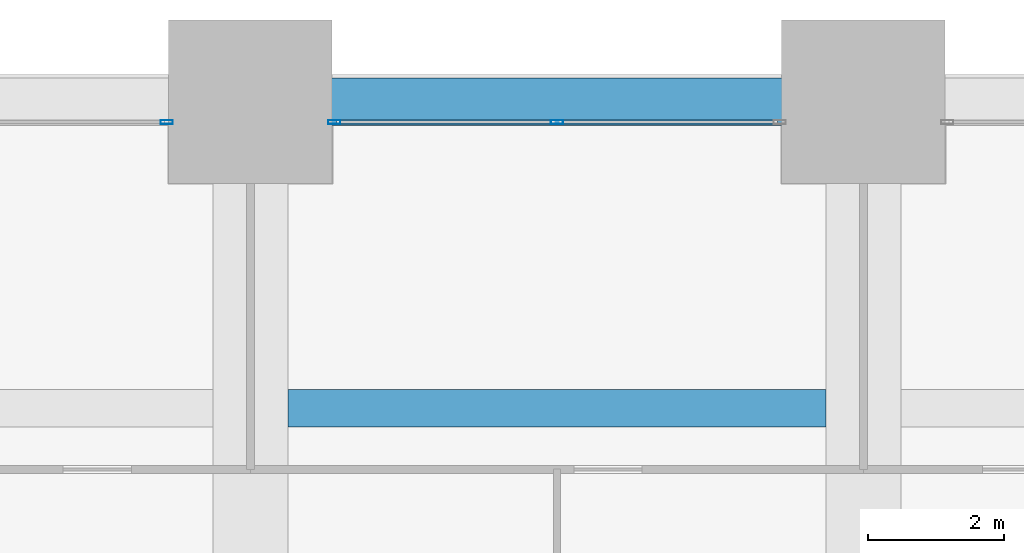
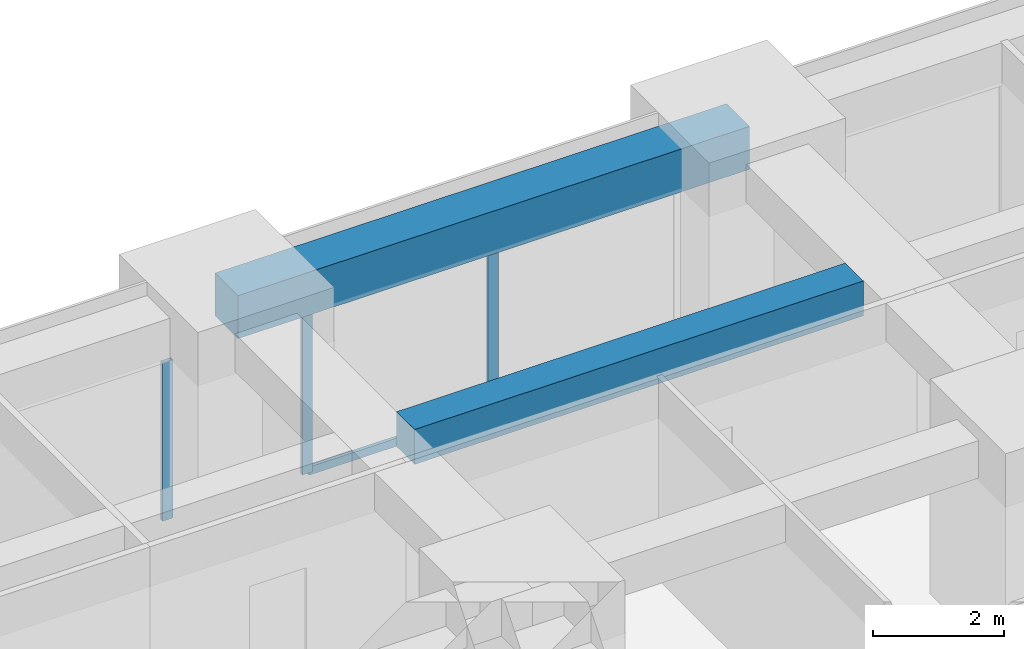
# One storey, part 30 of 44: 4 members, 2 beams, 2 elements without a shape of their own.
"""IFC4 building model written with IfcOpenShell, lengths in metres."""

from ifc_helpers import new_model, si_unit, direction, frame, origin, origin_2d, place, context, subcontext, project, spatial, rectangle, hollow_rectangle, extrude, material, material_profile, profile_set, type_object, element, aggregate, save


model = new_model("IFC4")

# Units and contexts
model_context = context("Model", 3, precision=1e-05, world=origin(), true_north=direction((0.0, 1.0)))
body_context = subcontext(model_context, "Body", "Model", "MODEL_VIEW")
ifc_project = project(units=[si_unit("LENGTHUNIT", "METRE"), si_unit("AREAUNIT", "SQUARE_METRE"), si_unit("VOLUMEUNIT", "CUBIC_METRE"), si_unit("PLANEANGLEUNIT", "RADIAN"), si_unit("MASSUNIT", "GRAM", prefix="KILO")], contexts=[model_context])

# Site, building, storey
site_placement = place(None, origin())
site = spatial("IfcSite", under=ifc_project, at=site_placement, CompositionType="ELEMENT")
building_placement = place(site_placement, origin())
building = spatial("IfcBuilding", under=site, at=building_placement, Name="Zorevar Civic Tower", CompositionType="ELEMENT")
storey_placement = place(building_placement, frame((0.0, 0.0, 43.800048828125)))
storey = spatial("IfcBuildingStorey", under=building, at=storey_placement, Name="L10", CompositionType="ELEMENT", Elevation=43.800048828125)

# Beam
ifc_material_1 = material(Name="Concrete C50/60", Category="concrete")
ifc_material_profile_1 = material_profile(ifc_material_1, rectangle(XDim=0.550048828125, YDim=0.64990234375, at=origin_2d()), Name="RC 550x650")
ifc_profile_set_1 = profile_set([ifc_material_profile_1], Name="Concrete C50/60")
beam_type_1 = type_object("IfcBeamType", Name="Beam RC 550x650", PredefinedType="BEAM", material=ifc_profile_set_1)
beam_1_placement = place(storey_placement, frame((27.550048828125, 49.5, 3.425048828125), z_axis=(1.0, 0.0, 0.0), x_axis=(0.0, 1.0, 0.0)))
element("IfcBeam", 1, at=beam_1_placement, inside=storey, type_object=beam_type_1, Name="Secondary beam L11", PredefinedType="BEAM", context=body_context, shape_type="SweptSolid", body=[
    extrude(rectangle(XDim=0.550048828125, YDim=0.64990234375, at=origin_2d()), origin(), (0.0, 0.0, 1.0), 7.89990234375),
])

# Curtain wall, member
ifc_material_2 = material(Name="Dark grey solar-control glass in black aluminium frame", Category="aluminium")
curtain_wall_type = type_object("IfcCurtainWallType", Name="Curtain wall CW2 low zone", PredefinedType="NOTDEFINED", material=ifc_material_2)
curtain_wall_1_placement = place(storey_placement, origin())
curtain_wall_1 = element("IfcCurtainWall", 2, at=curtain_wall_1_placement, inside=storey, type_object=curtain_wall_type, Name="CW2 L10", PredefinedType="NOTDEFINED")
ifc_material_3 = material(Name="Aluminium, black anodised", Category="aluminium")
ifc_material_profile_2 = material_profile(ifc_material_3, hollow_rectangle(XDim=0.06005859375, YDim=0.179931640625, WallThickness=0.00390625, at=origin_2d()), Name="AL 180x60x4")
ifc_profile_set_2 = profile_set([ifc_material_profile_2], Name="Aluminium, black anodised")
member_type_1 = type_object("IfcMemberType", Name="CW2 mullion AL 180x60x4", PredefinedType="MULLION", material=ifc_profile_set_2)
member_1_placement = place(storey_placement, frame((25.77001953125, 53.699951171875, 0.0), z_axis=(0.0, 0.0, 1.0), x_axis=(0.0, 1.0, 0.0)))
member_1 = element("IfcMember", 3, at=member_1_placement, type_object=member_type_1, Name="CW2 mullion 3", PredefinedType="MULLION", context=body_context, shape_type="SweptSolid", body=[
    extrude(hollow_rectangle(XDim=0.06005859375, YDim=0.179931640625, WallThickness=0.00390625, at=origin_2d()), origin(), (0.0, 0.0, 1.0), 2.949951171875),
])
aggregate(curtain_wall_1, [member_1])

# Curtain wall, members
curtain_wall_2_placement = place(storey_placement, origin())
curtain_wall_2 = element("IfcCurtainWall", 4, at=curtain_wall_2_placement, inside=storey, type_object=curtain_wall_type, Name="CW2 L10", PredefinedType="NOTDEFINED")
member_2_placement = place(storey_placement, frame((28.22998046875, 53.699951171875, 0.0), z_axis=(0.0, 0.0, 1.0), x_axis=(0.0, 1.0, 0.0)))
member_2 = element("IfcMember", 5, at=member_2_placement, type_object=member_type_1, Name="CW2 mullion 1", PredefinedType="MULLION", context=body_context, shape_type="SweptSolid", body=[
    extrude(hollow_rectangle(XDim=0.06005859375, YDim=0.179931640625, WallThickness=0.00390625, at=origin_2d()), origin(), (0.0, 0.0, 1.0), 2.949951171875),
])
member_3_placement = place(storey_placement, frame((31.5, 53.699951171875, 0.06005859375), z_axis=(0.0, 0.0, 1.0), x_axis=(0.0, 1.0, 0.0)))
member_3 = element("IfcMember", 6, at=member_3_placement, type_object=member_type_1, Name="CW2 mullion 2", PredefinedType="MULLION", context=body_context, shape_type="SweptSolid", body=[
    extrude(hollow_rectangle(XDim=0.06005859375, YDim=0.179931640625, WallThickness=0.00390625, at=origin_2d()), origin(), (0.0, 0.0, 1.0), 2.889892578125),
])
ifc_material_4 = material(Name="Aluminium, black anodised", Category="aluminium")
ifc_material_profile_3 = material_profile(ifc_material_4, hollow_rectangle(XDim=0.06005859375, YDim=0.14990234375, WallThickness=0.00390625, at=origin_2d()), Name="AL 150x60x4")
ifc_profile_set_3 = profile_set([ifc_material_profile_3], Name="Aluminium, black anodised")
member_type_2 = type_object("IfcMemberType", Name="CW2 transom AL 150x60x4", PredefinedType="USERDEFINED", material=ifc_profile_set_3)
member_4_placement = place(storey_placement, frame((28.260009765625, 53.699951171875, 0.030029296875), z_axis=(1.0, 0.0, 0.0), x_axis=(0.0, 1.0, 0.0)))
member_4 = element("IfcMember", 7, at=member_4_placement, type_object=member_type_2, Name="CW2 sill transom", ObjectType="TRANSOM", PredefinedType="USERDEFINED", context=body_context, shape_type="SweptSolid", body=[
    extrude(hollow_rectangle(XDim=0.06005859375, YDim=0.14990234375, WallThickness=0.00390625, at=origin_2d()), origin(), (0.0, 0.0, 1.0), 6.47998046875),
])
aggregate(curtain_wall_2, [member_2, member_3, member_4])

# Beam
ifc_material_5 = material(Name="Concrete C50/60", Category="concrete")
ifc_material_profile_4 = material_profile(ifc_material_5, rectangle(XDim=0.699951171875, YDim=0.800048828125, at=origin_2d()), Name="RC 700x800")
ifc_profile_set_4 = profile_set([ifc_material_profile_4], Name="Concrete C50/60")
beam_type_2 = type_object("IfcBeamType", Name="Edge beam RC 700x800", PredefinedType="SPANDREL", material=ifc_profile_set_4)
beam_2_placement = place(storey_placement, frame((27.0, 54.0, 3.349853515625), z_axis=(1.0, 0.0, 0.0), x_axis=(0.0, 1.0, 0.0)))
element("IfcBeam", 8, at=beam_2_placement, inside=storey, type_object=beam_type_2, Name="Edge beam L11", PredefinedType="SPANDREL", context=body_context, shape_type="SweptSolid", body=[
    extrude(rectangle(XDim=0.699951171875, YDim=0.800048828125, at=origin_2d()), origin(), (0.0, 0.0, 1.0), 9.0),
])

save(model, "model.ifc")
